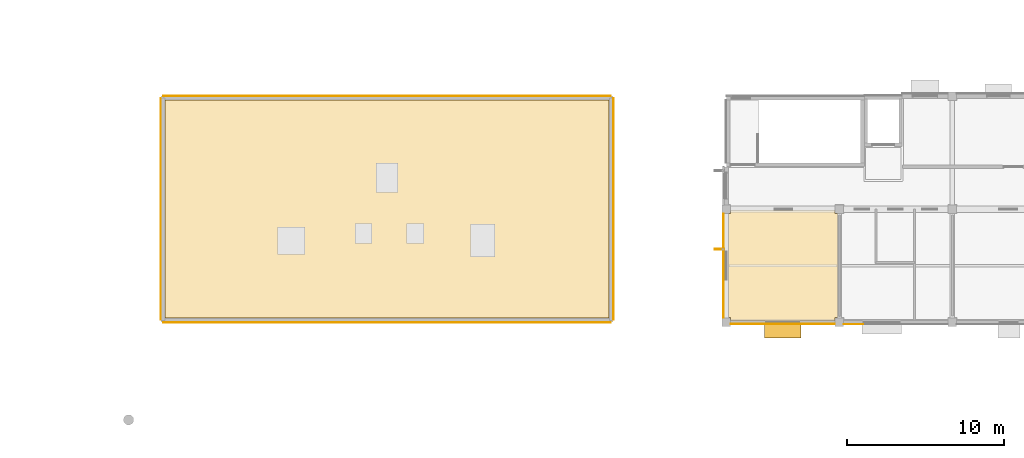
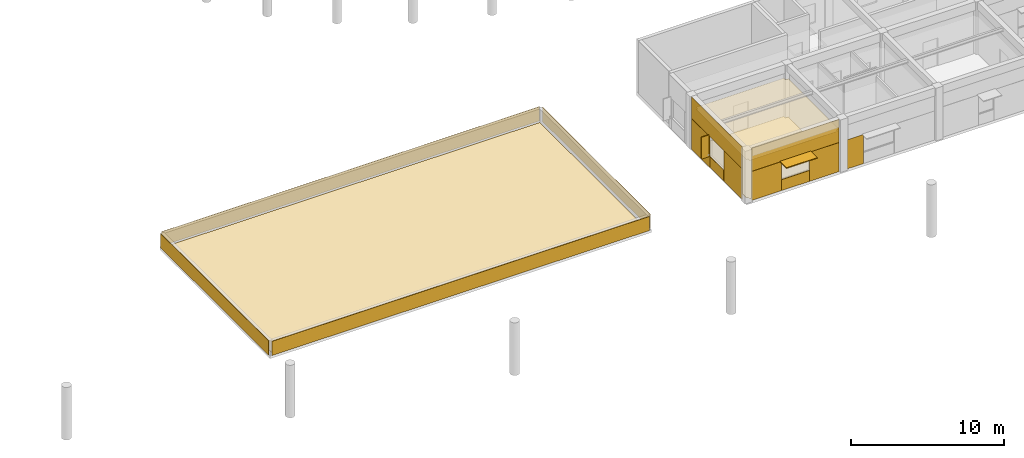
# One storey, part 20 of 29: 16 coverings, 2 shading devices.
"""IFC4 building model written with IfcOpenShell, lengths in metres."""

from ifc_helpers import new_model, si_unit, direction, frame, origin, origin_2d, place, context, subcontext, project, spatial, polyline, rectangle, outline, extrude, material, layer, layer_set, type_object, element, save


model = new_model("IFC4")

# Units and contexts
model_context = context("Model", 3, precision=1e-05, world=origin(), true_north=direction((0.0, 1.0)))
body_context = subcontext(model_context, "Body", "Model", "MODEL_VIEW")
ifc_project = project(units=[si_unit("LENGTHUNIT", "METRE"), si_unit("AREAUNIT", "SQUARE_METRE"), si_unit("VOLUMEUNIT", "CUBIC_METRE"), si_unit("PLANEANGLEUNIT", "RADIAN"), si_unit("MASSUNIT", "GRAM", prefix="KILO")], contexts=[model_context])

# Site, building, storey
site_placement = place(None, origin())
site = spatial("IfcSite", under=ifc_project, at=site_placement, CompositionType="ELEMENT")
building_placement = place(site_placement, origin())
building = spatial("IfcBuilding", under=site, at=building_placement, Name="Namkhue Oval Health Centre", CompositionType="ELEMENT")
storey_placement = place(building_placement, frame((0.0, 0.0, 18.0)))
storey = spatial("IfcBuildingStorey", under=building, at=storey_placement, Name="L04", CompositionType="ELEMENT", Elevation=18.0)

# Coverings
ifc_material_1 = material(Name="Acoustic mineral-fibre cleanroom ceiling", Category="gypsum")
ifc_layer_1 = layer(ifc_material_1, 0.02001953125)
ifc_layer_set_1 = layer_set([ifc_layer_1], Name="Acoustic mineral-fibre cleanroom ceiling")
covering_type_1 = type_object("IfcCoveringType", Name="ACOUSTIC CLEANROOM CEILING 20", PredefinedType="CEILING", material=ifc_layer_set_1)
covering_1_placement = place(storey_placement, frame((0.0, 0.0, 3.050048828125)))
element("IfcCovering", 1, at=covering_1_placement, inside=storey, type_object=covering_type_1, Name="Acoustic Ceiling L04-501 Group Therapy Courtyard Room", PredefinedType="CEILING", context=body_context, shape_type="SweptSolid", body=[
    extrude(outline(polyline([(93.885009765625, 14.485107421875), (93.885009765625, 14.68505859375), (93.7548828125, 14.68505859375), (93.7548828125, 21.31494140625), (93.885009765625, 21.31494140625), (93.885009765625, 21.52001953125), (100.514892578125, 21.52001953125), (100.514892578125, 21.31494140625), (100.72998046875, 21.31494140625), (100.72998046875, 14.68505859375), (100.514892578125, 14.68505859375), (100.514892578125, 14.485107421875), (93.885009765625, 14.485107421875)])), origin(), (0.0, 0.0, 1.0), 0.02001953125),
])
ifc_material_2 = material(Name="Homogeneous anti-bacterial clinical vinyl flooring", Category="plastic")
ifc_layer_2 = layer(ifc_material_2, 0.014892578125)
ifc_layer_set_2 = layer_set([ifc_layer_2], Name="Homogeneous anti-bacterial clinical vinyl flooring")
covering_type_2 = type_object("IfcCoveringType", Name="CLINICAL ANTIBACTERIAL VINYL FLOORING 15", PredefinedType="FLOORING", material=ifc_layer_set_2)
covering_2_placement = place(storey_placement, origin())
element("IfcCovering", 2, at=covering_2_placement, inside=storey, type_object=covering_type_2, Name="Clinical Flooring L04-501 Group Therapy Courtyard Room", PredefinedType="FLOORING", context=body_context, shape_type="SweptSolid", body=[
    extrude(outline(polyline([(93.885009765625, 14.485107421875), (93.885009765625, 14.68505859375), (93.7548828125, 14.68505859375), (93.7548828125, 21.31494140625), (93.885009765625, 21.31494140625), (93.885009765625, 21.52001953125), (100.514892578125, 21.52001953125), (100.514892578125, 21.31494140625), (100.72998046875, 21.31494140625), (100.72998046875, 14.68505859375), (100.514892578125, 14.68505859375), (100.514892578125, 14.485107421875), (93.885009765625, 14.485107421875)])), origin(), (0.0, 0.0, 1.0), 0.014892578125),
])

# Shading device
ifc_material_3 = material(Name="Anodised aluminium EN AW-6063 T6", Category="aluminium")
ifc_layer_3 = layer(ifc_material_3, 0.06005859375)
ifc_layer_set_3 = layer_set([ifc_layer_3], Name="Anodised aluminium EN AW-6063 T6")
shading_device_type_1 = type_object("IfcShadingDeviceType", Name="MONSOON SUN LOUVRE 900", PredefinedType="JALOUSIE", material=ifc_layer_set_3)
shading_device_1_placement = place(storey_placement, frame((97.199951171875, 13.85009765625, 2.340087890625), z_axis=(0.0, 0.0, 1.0), x_axis=(1.0, 0.0, 0.0)))
element("IfcShadingDevice", 3, at=shading_device_1_placement, inside=storey, type_object=shading_device_type_1, Name="Volume V5 L04 Window Monsoon Louvre 286", PredefinedType="JALOUSIE", context=body_context, shape_type="SweptSolid", body=[
    extrude(rectangle(XDim=2.340087890625, YDim=0.89990234375, at=origin_2d()), origin(), (0.0, 0.0, 1.0), 0.06005859375),
])

# Covering
ifc_material_4 = material(Name="Standing-seam aluminium-zinc insulated roofing", Category="aluminium")
ifc_layer_4 = layer(ifc_material_4, 0.044921875)
ifc_layer_set_4 = layer_set([ifc_layer_4], Name="Standing-seam aluminium-zinc insulated roofing")
covering_type_3 = type_object("IfcCoveringType", Name="STANDING SEAM ROOFING 45", PredefinedType="ROOFING", material=ifc_layer_set_4)
covering_3_placement = place(storey_placement, frame((0.0, 0.0, 0.2548828125)))
element("IfcCovering", 4, at=covering_3_placement, inside=storey, type_object=covering_type_3, Name="Volume V4 L04 Standing Seam Roofing 1", PredefinedType="ROOFING", context=body_context, shape_type="SweptSolid", body=[
    extrude(outline(polyline([(57.860107421875, 14.659912109375), (57.860107421875, 28.5400390625), (86.139892578125, 28.5400390625), (86.139892578125, 14.659912109375), (57.860107421875, 14.659912109375)])), origin(), (0.0, 0.0, 1.0), 0.045166015625),
])

# Shading device
shading_device_type_2 = type_object("IfcShadingDeviceType", Name="VERTICAL SOLAR FIN 600", PredefinedType="USERDEFINED", material=ifc_material_3)
shading_device_2_placement = place(storey_placement, frame((93.1650390625, 19.0400390625, 0.7998046875), z_axis=(0.0, 0.0, 1.0), x_axis=(-1.0, 0.0, 0.0)))
element("IfcShadingDevice", 5, at=shading_device_2_placement, inside=storey, type_object=shading_device_type_2, Name="Volume V5 L04 Window Solar Fin 294", ObjectType="SOLAR FIN", PredefinedType="USERDEFINED", context=body_context, shape_type="SweptSolid", body=[
    extrude(rectangle(XDim=0.60009765625, YDim=0.06005859375, at=origin_2d()), origin(), (0.0, 0.0, 1.0), 1.739990234375),
])

# Coverings
ifc_material_5 = material(Name="White glass-fibre reinforced concrete GRC rainscreen cladding", Category="concrete")
ifc_layer_5 = layer(ifc_material_5, 0.02490234375)
ifc_layer_set_5 = layer_set([ifc_layer_5], Name="White glass-fibre reinforced concrete GRC rainscreen cladding")
covering_type_4 = type_object("IfcCoveringType", Name="WHITE GRC RAINSCREEN CLADDING 25", PredefinedType="CLADDING", material=ifc_layer_set_5)
covering_4_placement = place(storey_placement, frame((57.587890625, 21.60009765625, 0.22509765625), z_axis=(0.0, 0.0, 1.0), x_axis=(0.0, 1.0, 0.0)))
element("IfcCovering", 6, at=covering_4_placement, inside=storey, type_object=covering_type_4, Name="Volume V4 L04 Parapet 1 White GRC Cladding 1", PredefinedType="CLADDING", context=body_context, shape_type="SweptSolid", body=[
    extrude(rectangle(XDim=14.114990234375, YDim=0.02490234375, at=origin_2d()), origin(), (0.0, 0.0, 1.0), 1.1298828125),
])
covering_5_placement = place(storey_placement, frame((72.0, 28.81201171875, 0.22509765625), z_axis=(0.0, 0.0, 1.0), x_axis=(1.0, 0.0, 0.0)))
element("IfcCovering", 7, at=covering_5_placement, inside=storey, type_object=covering_type_4, Name="Volume V4 L04 Parapet 2 White GRC Cladding 1", PredefinedType="CLADDING", context=body_context, shape_type="SweptSolid", body=[
    extrude(rectangle(XDim=28.514892578125, YDim=0.02490234375, at=origin_2d()), origin(), (0.0, 0.0, 1.0), 1.1298828125),
])
covering_6_placement = place(storey_placement, frame((86.412109375, 21.60009765625, 0.22509765625), z_axis=(0.0, 0.0, 1.0), x_axis=(0.0, -1.0, 0.0)))
element("IfcCovering", 8, at=covering_6_placement, inside=storey, type_object=covering_type_4, Name="Volume V4 L04 Parapet 3 White GRC Cladding 1", PredefinedType="CLADDING", context=body_context, shape_type="SweptSolid", body=[
    extrude(rectangle(XDim=14.114990234375, YDim=0.02490234375, at=origin_2d()), origin(), (0.0, 0.0, 1.0), 1.1298828125),
])
covering_7_placement = place(storey_placement, frame((72.0, 14.387939453125, 0.22509765625), z_axis=(0.0, 0.0, 1.0), x_axis=(-1.0, 0.0, 0.0)))
element("IfcCovering", 9, at=covering_7_placement, inside=storey, type_object=covering_type_4, Name="Volume V4 L04 Parapet 4 White GRC Cladding 1", PredefinedType="CLADDING", context=body_context, shape_type="SweptSolid", body=[
    extrude(rectangle(XDim=28.514892578125, YDim=0.02490234375, at=origin_2d()), origin(), (0.0, 0.0, 1.0), 1.1298828125),
])
covering_8_placement = place(storey_placement, frame((97.199951171875, 14.278076171875, 2.3349609375), z_axis=(0.0, 0.0, 1.0), x_axis=(1.0, 0.0, 0.0)))
element("IfcCovering", 10, at=covering_8_placement, inside=storey, type_object=covering_type_4, Name="Volume V5 L04 Facade 149 White GRC Cladding 1", PredefinedType="CLADDING", context=body_context, shape_type="SweptSolid", body=[
    extrude(rectangle(XDim=6.617919921875, YDim=0.02490234375, at=origin_2d()), origin(), (0.0, 0.0, 1.0), 1.85498046875),
])
covering_9_placement = place(storey_placement, frame((95.012939453125, 14.278076171875, 0.009765625), z_axis=(0.0, 0.0, 1.0), x_axis=(1.0, 0.0, 0.0)))
element("IfcCovering", 11, at=covering_9_placement, inside=storey, type_object=covering_type_4, Name="Volume V5 L04 Facade 149 White GRC Cladding 2", PredefinedType="CLADDING", context=body_context, shape_type="SweptSolid", body=[
    extrude(rectangle(XDim=2.243896484375, YDim=0.02490234375, at=origin_2d()), origin(), (0.0, 0.0, 1.0), 2.320068359375),
])
covering_10_placement = place(storey_placement, frame((97.199951171875, 14.278076171875, 0.010009765625), z_axis=(0.0, 0.0, 1.0), x_axis=(1.0, 0.0, 0.0)))
element("IfcCovering", 12, at=covering_10_placement, inside=storey, type_object=covering_type_4, Name="Volume V5 L04 Facade 149 White GRC Cladding 3", PredefinedType="CLADDING", context=body_context, shape_type="SweptSolid", body=[
    extrude(rectangle(XDim=2.1201171875, YDim=0.02490234375, at=origin_2d()), origin(), (0.0, 0.0, 1.0), 0.875),
])
covering_11_placement = place(storey_placement, frame((99.386962890625, 14.278076171875, 0.009765625), z_axis=(0.0, 0.0, 1.0), x_axis=(1.0, 0.0, 0.0)))
element("IfcCovering", 13, at=covering_11_placement, inside=storey, type_object=covering_type_4, Name="Volume V5 L04 Facade 149 White GRC Cladding 4", PredefinedType="CLADDING", context=body_context, shape_type="SweptSolid", body=[
    extrude(rectangle(XDim=2.243896484375, YDim=0.02490234375, at=origin_2d()), origin(), (0.0, 0.0, 1.0), 2.320068359375),
])
covering_12_placement = place(storey_placement, frame((101.712890625, 14.27294921875, 0.009765625), z_axis=(0.0, 0.0, 1.0), x_axis=(1.0, 0.0, 0.0)))
element("IfcCovering", 14, at=covering_12_placement, inside=storey, type_object=covering_type_4, Name="Volume V5 L04 Facade 150 White GRC Cladding 2", PredefinedType="CLADDING", context=body_context, shape_type="SweptSolid", body=[
    extrude(rectangle(XDim=1.243896484375, YDim=0.02490234375, at=origin_2d()), origin(), (0.0, 0.0, 1.0), 2.320068359375),
])
covering_13_placement = place(storey_placement, frame((93.43310546875, 18.0, 2.455078125), z_axis=(0.0, 0.0, 1.0), x_axis=(0.0, -1.0, 0.0)))
element("IfcCovering", 15, at=covering_13_placement, inside=storey, type_object=covering_type_4, Name="Volume V5 L04 Facade 158 White GRC Cladding 1", PredefinedType="CLADDING", context=body_context, shape_type="SweptSolid", body=[
    extrude(rectangle(XDim=6.617919921875, YDim=0.02490234375, at=origin_2d()), origin(), (0.0, 0.0, 1.0), 1.735107421875),
])
covering_14_placement = place(storey_placement, frame((93.43310546875, 20.112060546875, 0.010009765625), z_axis=(0.0, 0.0, 1.0), x_axis=(0.0, -1.0, 0.0)))
element("IfcCovering", 16, at=covering_14_placement, inside=storey, type_object=covering_type_4, Name="Volume V5 L04 Facade 158 White GRC Cladding 2", PredefinedType="CLADDING", context=body_context, shape_type="SweptSolid", body=[
    extrude(rectangle(XDim=2.39404296875, YDim=0.02490234375, at=origin_2d()), origin(), (0.0, 0.0, 1.0), 2.43994140625),
])
covering_15_placement = place(storey_placement, frame((93.43310546875, 18.0, 0.010009765625), z_axis=(0.0, 0.0, 1.0), x_axis=(0.0, -1.0, 0.0)))
element("IfcCovering", 17, at=covering_15_placement, inside=storey, type_object=covering_type_4, Name="Volume V5 L04 Facade 158 White GRC Cladding 3", PredefinedType="CLADDING", context=body_context, shape_type="SweptSolid", body=[
    extrude(rectangle(XDim=1.820068359375, YDim=0.02490234375, at=origin_2d()), origin(), (0.0, 0.0, 1.0), 0.875),
])
covering_16_placement = place(storey_placement, frame((93.43310546875, 15.887939453125, 0.010009765625), z_axis=(0.0, 0.0, 1.0), x_axis=(0.0, -1.0, 0.0)))
element("IfcCovering", 18, at=covering_16_placement, inside=storey, type_object=covering_type_4, Name="Volume V5 L04 Facade 158 White GRC Cladding 4", PredefinedType="CLADDING", context=body_context, shape_type="SweptSolid", body=[
    extrude(rectangle(XDim=2.39404296875, YDim=0.02490234375, at=origin_2d()), origin(), (0.0, 0.0, 1.0), 2.43994140625),
])

save(model, "model.ifc")
